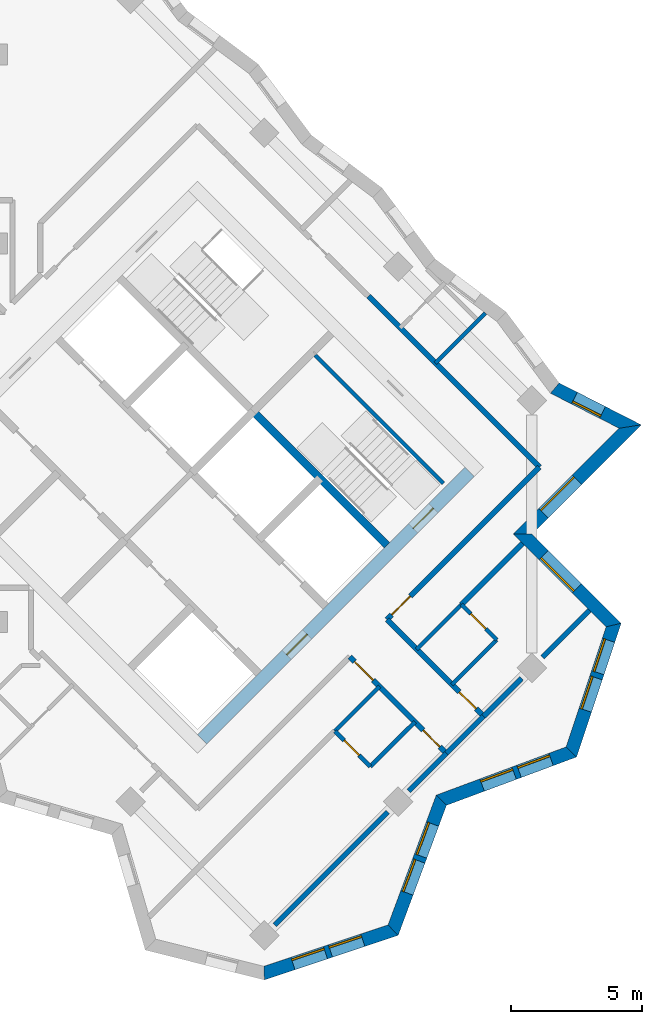
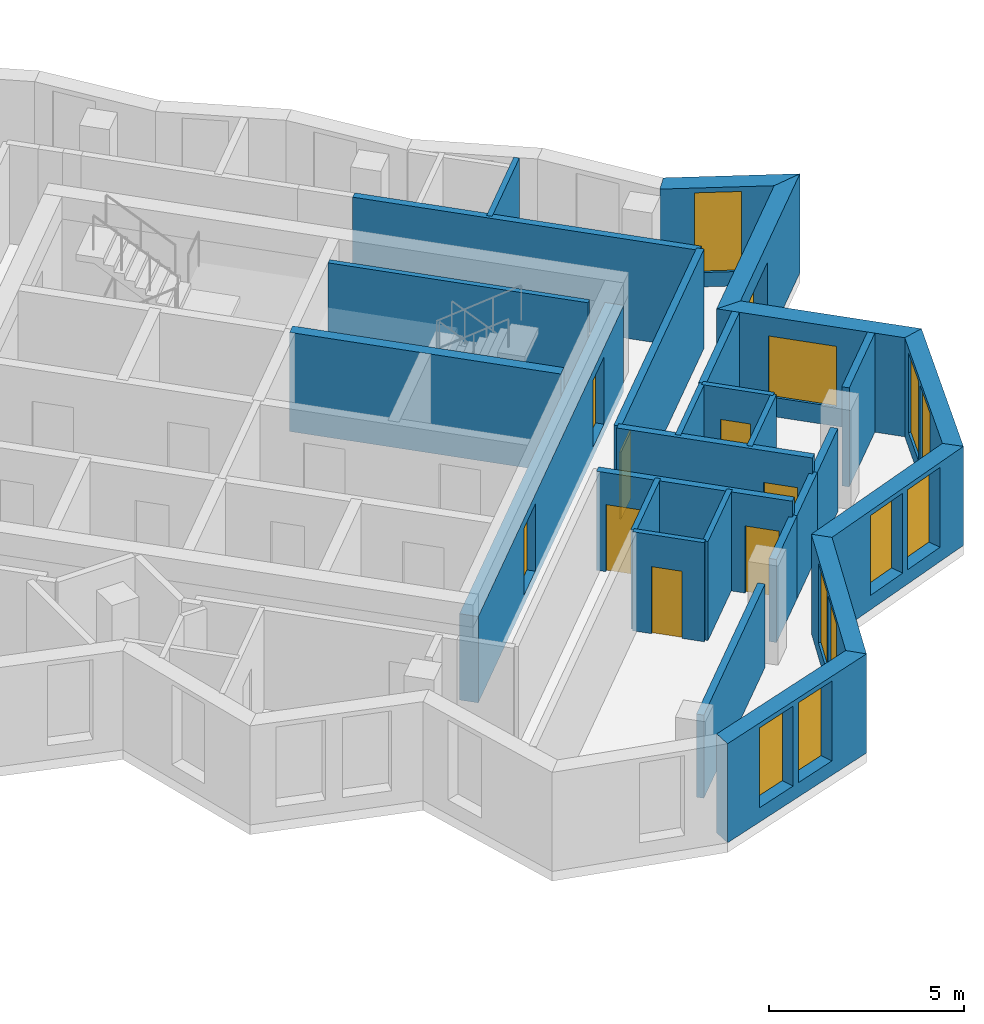
# One storey, part 8 of 12: 27 walls, 11 windows, 8 doors, 19 openings.
"""IFC4 building model written with IfcOpenShell, lengths in metres."""

from ifc_helpers import new_model, si_unit, direction, frame, frame_2d, origin, place, context, subcontext, project, spatial, polyline, rectangle, outline, extrude, material, layer, layer_set, type_object, element, fill, save


model = new_model("IFC4")

# Units and contexts
model_context = context("Model", 3, precision=1e-05, world=origin(), true_north=direction((0.0, 1.0)))
body_context = subcontext(model_context, "Body", "Model", "MODEL_VIEW")
ifc_project = project(units=[si_unit("LENGTHUNIT", "METRE"), si_unit("AREAUNIT", "SQUARE_METRE"), si_unit("VOLUMEUNIT", "CUBIC_METRE"), si_unit("PLANEANGLEUNIT", "RADIAN"), si_unit("MASSUNIT", "GRAM", prefix="KILO")], contexts=[model_context])

# Site, building, storey
site_placement = place(None, origin())
site = spatial("IfcSite", under=ifc_project, at=site_placement, CompositionType="ELEMENT")
building_placement = place(site_placement, origin())
building = spatial("IfcBuilding", under=site, at=building_placement, Name="Windrow Commons", CompositionType="ELEMENT")
storey_placement = place(building_placement, frame((0.0, 0.0, 210.0)))
storey = spatial("IfcBuildingStorey", under=building, at=storey_placement, Name="L57", CompositionType="ELEMENT", Elevation=210.0)

# Wall, openings, windows
ifc_material_1 = material(Name="Brick masonry, red clay brick", Category="masonry")
ifc_layer_1 = layer(ifc_material_1, 0.5)
ifc_layer_set_1 = layer_set([ifc_layer_1], Name="Brick facade wall 500")
wall_type_1 = type_object("IfcWallType", Name="Brick facade wall 500", PredefinedType="SOLIDWALL", material=ifc_layer_set_1)
wall_1_placement = place(storey_placement, frame((89.3725, 29.8338, 0.0), z_axis=(0.0, 0.0, 1.0), x_axis=(0.9486832981, 0.316227766, 0.0)))
wall_1 = element("IfcWall", 1, at=wall_1_placement, inside=storey, type_object=wall_type_1, Name="Brick facade wall L57 1", PredefinedType="SOLIDWALL", context=body_context, shape_type="SweptSolid", body=[
    extrude(outline(polyline([(-0.073, -0.25), (5.2936, -0.25), (5.0541, 0.25), (0.073, 0.25), (-0.073, -0.25)])), origin(), (0.0, 0.0, 1.0), 3.1),
])
opening_1_placement = place(wall_1_placement, frame((1.1588, 0.0, 0.45)))
opening_1 = element("IfcOpeningElement", 2, at=opening_1_placement, cuts=wall_1, Name="Opening W1Q", PredefinedType="OPENING", context=body_context, shape_type="SweptSolid", body=[
    extrude(rectangle(XDim=1.3, YDim=2.5, at=frame_2d((0.65, 1.25))), frame((0.0, 0.26, 0.0), z_axis=(0.0, -1.0, 0.0), x_axis=(1.0, 0.0, 0.0)), (0.0, 0.0, 1.0), 0.52),
])
opening_2_placement = place(wall_1_placement, frame((2.6588, 0.0, 0.45)))
opening_2 = element("IfcOpeningElement", 3, at=opening_2_placement, cuts=wall_1, Name="Opening W1Q", PredefinedType="OPENING", context=body_context, shape_type="SweptSolid", body=[
    extrude(rectangle(XDim=1.3, YDim=2.5, at=frame_2d((0.65, 1.25))), frame((0.0, 0.26, 0.0), z_axis=(0.0, -1.0, 0.0), x_axis=(1.0, 0.0, 0.0)), (0.0, 0.0, 1.0), 0.52),
])
ifc_material_2 = material(Name="Clear float glass in anodised aluminium frame", Category="aluminium")
window_type_1 = type_object("IfcWindowType", Name="Window W1Q pair 1300x2500", PartitioningType="SINGLE_PANEL", PredefinedType="WINDOW", material=ifc_material_2)
window_1_placement = place(opening_1_placement, origin())
window_1 = element("IfcWindow", 4, at=window_1_placement, inside=storey, type_object=window_type_1, Name="Window L57 1.1A", OverallHeight=2.5, OverallWidth=1.3, PartitioningType="SINGLE_PANEL", PredefinedType="WINDOW", context=body_context, shape_type="SweptSolid", body=[
    extrude(rectangle(XDim=1.3, YDim=2.5, at=frame_2d((0.65, 1.25))), frame((0.0, 0.18, 0.0), z_axis=(0.0, -1.0, 0.0), x_axis=(1.0, 0.0, 0.0)), (0.0, 0.0, 1.0), 0.06),
])
fill(opening_1, window_1)
window_2_placement = place(opening_2_placement, origin())
window_2 = element("IfcWindow", 5, at=window_2_placement, inside=storey, type_object=window_type_1, Name="Window L57 1.1B", OverallHeight=2.5, OverallWidth=1.3, PartitioningType="SINGLE_PANEL", PredefinedType="WINDOW", context=body_context, shape_type="SweptSolid", body=[
    extrude(rectangle(XDim=1.3, YDim=2.5, at=frame_2d((0.65, 1.25))), frame((0.0, 0.18, 0.0), z_axis=(0.0, -1.0, 0.0), x_axis=(1.0, 0.0, 0.0)), (0.0, 0.0, 1.0), 0.06),
])
fill(opening_2, window_2)

wall_2_placement = place(storey_placement, frame((94.2808, 31.4699, 0.0), z_axis=(0.0, 0.0, 1.0), x_axis=(0.3481903374, 0.9374238577, 0.0)))
wall_2 = element("IfcWall", 6, at=wall_2_placement, inside=storey, type_object=wall_type_1, Name="Brick facade wall L57 2", PredefinedType="SOLIDWALL", context=body_context, shape_type="SweptSolid", body=[
    extrude(outline(polyline([(-0.1197, -0.25), (5.1604, -0.25), (5.3896, 0.25), (0.1197, 0.25), (-0.1197, -0.25)])), origin(), (0.0, 0.0, 1.0), 3.1),
])
opening_3_placement = place(wall_2_placement, frame((1.5123, 0.0, 0.45)))
opening_3 = element("IfcOpeningElement", 7, at=opening_3_placement, cuts=wall_2, Name="Opening W1Q", PredefinedType="OPENING", context=body_context, shape_type="SweptSolid", body=[
    extrude(rectangle(XDim=1.3, YDim=2.5, at=frame_2d((0.65, 1.25))), frame((0.0, 0.26, 0.0), z_axis=(0.0, -1.0, 0.0), x_axis=(1.0, 0.0, 0.0)), (0.0, 0.0, 1.0), 0.52),
])
opening_4_placement = place(wall_2_placement, frame((3.0123, 0.0, 0.45)))
opening_4 = element("IfcOpeningElement", 8, at=opening_4_placement, cuts=wall_2, Name="Opening W1Q", PredefinedType="OPENING", context=body_context, shape_type="SweptSolid", body=[
    extrude(rectangle(XDim=1.3, YDim=2.5, at=frame_2d((0.65, 1.25))), frame((0.0, 0.26, 0.0), z_axis=(0.0, -1.0, 0.0), x_axis=(1.0, 0.0, 0.0)), (0.0, 0.0, 1.0), 0.52),
])
window_3_placement = place(opening_3_placement, origin())
window_3 = element("IfcWindow", 9, at=window_3_placement, inside=storey, type_object=window_type_1, Name="Window L57 2.1A", OverallHeight=2.5, OverallWidth=1.3, PartitioningType="SINGLE_PANEL", PredefinedType="WINDOW", context=body_context, shape_type="SweptSolid", body=[
    extrude(rectangle(XDim=1.3, YDim=2.5, at=frame_2d((0.65, 1.25))), frame((0.0, 0.18, 0.0), z_axis=(0.0, -1.0, 0.0), x_axis=(1.0, 0.0, 0.0)), (0.0, 0.0, 1.0), 0.06),
])
fill(opening_3, window_3)
window_4_placement = place(opening_4_placement, origin())
window_4 = element("IfcWindow", 10, at=window_4_placement, inside=storey, type_object=window_type_1, Name="Window L57 2.1B", OverallHeight=2.5, OverallWidth=1.3, PartitioningType="SINGLE_PANEL", PredefinedType="WINDOW", context=body_context, shape_type="SweptSolid", body=[
    extrude(rectangle(XDim=1.3, YDim=2.5, at=frame_2d((0.65, 1.25))), frame((0.0, 0.18, 0.0), z_axis=(0.0, -1.0, 0.0), x_axis=(1.0, 0.0, 0.0)), (0.0, 0.0, 1.0), 0.06),
])
fill(opening_4, window_4)

wall_3_placement = place(storey_placement, frame((96.1175, 36.4148, 0.0), z_axis=(0.0, 0.0, 1.0), x_axis=(0.9374238577, 0.3481903374, 0.0)))
wall_3 = element("IfcWall", 11, at=wall_3_placement, inside=storey, type_object=wall_type_1, Name="Brick facade wall L57 3", PredefinedType="SOLIDWALL", context=body_context, shape_type="SweptSolid", body=[
    extrude(outline(polyline([(0.1146, -0.25), (5.3947, -0.25), (5.1552, 0.25), (-0.1146, 0.25), (0.1146, -0.25)])), origin(), (0.0, 0.0, 1.0), 3.1),
])
opening_5_placement = place(wall_3_placement, frame((1.655, 0.0, 0.45)))
opening_5 = element("IfcOpeningElement", 12, at=opening_5_placement, cuts=wall_3, Name="Opening W1Q", PredefinedType="OPENING", context=body_context, shape_type="SweptSolid", body=[
    extrude(rectangle(XDim=1.3, YDim=2.5, at=frame_2d((0.65, 1.25))), frame((0.0, 0.26, 0.0), z_axis=(0.0, -1.0, 0.0), x_axis=(1.0, 0.0, 0.0)), (0.0, 0.0, 1.0), 0.52),
])
opening_6_placement = place(wall_3_placement, frame((3.155, 0.0, 0.45)))
opening_6 = element("IfcOpeningElement", 13, at=opening_6_placement, cuts=wall_3, Name="Opening W1Q", PredefinedType="OPENING", context=body_context, shape_type="SweptSolid", body=[
    extrude(rectangle(XDim=1.3, YDim=2.5, at=frame_2d((0.65, 1.25))), frame((0.0, 0.26, 0.0), z_axis=(0.0, -1.0, 0.0), x_axis=(1.0, 0.0, 0.0)), (0.0, 0.0, 1.0), 0.52),
])
window_5_placement = place(opening_5_placement, origin())
window_5 = element("IfcWindow", 14, at=window_5_placement, inside=storey, type_object=window_type_1, Name="Window L57 3.1A", OverallHeight=2.5, OverallWidth=1.3, PartitioningType="SINGLE_PANEL", PredefinedType="WINDOW", context=body_context, shape_type="SweptSolid", body=[
    extrude(rectangle(XDim=1.3, YDim=2.5, at=frame_2d((0.65, 1.25))), frame((0.0, 0.18, 0.0), z_axis=(0.0, -1.0, 0.0), x_axis=(1.0, 0.0, 0.0)), (0.0, 0.0, 1.0), 0.06),
])
fill(opening_5, window_5)
window_6_placement = place(opening_6_placement, origin())
window_6 = element("IfcWindow", 15, at=window_6_placement, inside=storey, type_object=window_type_1, Name="Window L57 3.1B", OverallHeight=2.5, OverallWidth=1.3, PartitioningType="SINGLE_PANEL", PredefinedType="WINDOW", context=body_context, shape_type="SweptSolid", body=[
    extrude(rectangle(XDim=1.3, YDim=2.5, at=frame_2d((0.65, 1.25))), frame((0.0, 0.18, 0.0), z_axis=(0.0, -1.0, 0.0), x_axis=(1.0, 0.0, 0.0)), (0.0, 0.0, 1.0), 0.06),
])
fill(opening_6, window_6)

wall_4_placement = place(storey_placement, frame((101.0624, 38.2515, 0.0), z_axis=(0.0, 0.0, 1.0), x_axis=(0.3162395484, 0.9486793705, 0.0)))
wall_4 = element("IfcWall", 16, at=wall_4_placement, inside=storey, type_object=wall_type_1, Name="Brick facade wall L57 4", PredefinedType="SOLIDWALL", context=body_context, shape_type="SweptSolid", body=[
    extrude(outline(polyline([(-0.1197, -0.25), (5.2468, -0.25), (4.9378, 0.25), (0.1197, 0.25), (-0.1197, -0.25)])), origin(), (0.0, 0.0, 1.0), 3.1),
])
opening_7_placement = place(wall_4_placement, frame((1.6796, 0.0, 0.45)))
opening_7 = element("IfcOpeningElement", 17, at=opening_7_placement, cuts=wall_4, Name="Opening W1Q", PredefinedType="OPENING", context=body_context, shape_type="SweptSolid", body=[
    extrude(rectangle(XDim=1.3, YDim=2.5, at=frame_2d((0.65, 1.25))), frame((0.0, 0.26, 0.0), z_axis=(0.0, -1.0, 0.0), x_axis=(1.0, 0.0, 0.0)), (0.0, 0.0, 1.0), 0.52),
])
opening_8_placement = place(wall_4_placement, frame((3.1796, 0.0, 0.45)))
opening_8 = element("IfcOpeningElement", 18, at=opening_8_placement, cuts=wall_4, Name="Opening W1Q", PredefinedType="OPENING", context=body_context, shape_type="SweptSolid", body=[
    extrude(rectangle(XDim=1.3, YDim=2.5, at=frame_2d((0.65, 1.25))), frame((0.0, 0.26, 0.0), z_axis=(0.0, -1.0, 0.0), x_axis=(1.0, 0.0, 0.0)), (0.0, 0.0, 1.0), 0.52),
])
window_7_placement = place(opening_7_placement, origin())
window_7 = element("IfcWindow", 19, at=window_7_placement, inside=storey, type_object=window_type_1, Name="Window L57 4.1A", OverallHeight=2.5, OverallWidth=1.3, PartitioningType="SINGLE_PANEL", PredefinedType="WINDOW", context=body_context, shape_type="SweptSolid", body=[
    extrude(rectangle(XDim=1.3, YDim=2.5, at=frame_2d((0.65, 1.25))), frame((0.0, 0.18, 0.0), z_axis=(0.0, -1.0, 0.0), x_axis=(1.0, 0.0, 0.0)), (0.0, 0.0, 1.0), 0.06),
])
fill(opening_7, window_7)
window_8_placement = place(opening_8_placement, origin())
window_8 = element("IfcWindow", 20, at=window_8_placement, inside=storey, type_object=window_type_1, Name="Window L57 4.1B", OverallHeight=2.5, OverallWidth=1.3, PartitioningType="SINGLE_PANEL", PredefinedType="WINDOW", context=body_context, shape_type="SweptSolid", body=[
    extrude(rectangle(XDim=1.3, YDim=2.5, at=frame_2d((0.65, 1.25))), frame((0.0, 0.18, 0.0), z_axis=(0.0, -1.0, 0.0), x_axis=(1.0, 0.0, 0.0)), (0.0, 0.0, 1.0), 0.06),
])
fill(opening_8, window_8)

# Wall, opening, window
wall_5_placement = place(storey_placement, frame((102.6728, 43.0825, 0.0), z_axis=(0.0, 0.0, 1.0), x_axis=(-0.7071067812, 0.7071067812, 0.0)))
wall_5 = element("IfcWall", 21, at=wall_5_placement, inside=storey, type_object=wall_type_1, Name="Brick facade wall L57 5", PredefinedType="SOLIDWALL", context=body_context, shape_type="SweptSolid", body=[
    extrude(outline(polyline([(-0.1545, -0.25), (4.6455, -0.25), (5.1455, 0.25), (0.1545, 0.25), (-0.1545, -0.25)])), origin(), (0.0, 0.0, 1.0), 3.1),
])
opening_9_placement = place(wall_5_placement, frame((1.9705, 0.0, 0.6)))
opening_9 = element("IfcOpeningElement", 22, at=opening_9_placement, cuts=wall_5, Name="Opening W1L", PredefinedType="OPENING", context=body_context, shape_type="SweptSolid", body=[
    extrude(rectangle(XDim=1.8, YDim=1.9, at=frame_2d((0.9, 0.95))), frame((0.0, 0.26, 0.0), z_axis=(0.0, -1.0, 0.0), x_axis=(1.0, 0.0, 0.0)), (0.0, 0.0, 1.0), 0.52),
])
ifc_material_3 = material(Name="Clear float glass in anodised aluminium frame", Category="aluminium")
window_type_2 = type_object("IfcWindowType", Name="Window W1L bedroom 1800x1900", PartitioningType="SINGLE_PANEL", PredefinedType="WINDOW", material=ifc_material_3)
window_9_placement = place(opening_9_placement, origin())
window_9 = element("IfcWindow", 23, at=window_9_placement, inside=storey, type_object=window_type_2, Name="Window L57 5.1", OverallHeight=1.9, OverallWidth=1.8, PartitioningType="SINGLE_PANEL", PredefinedType="WINDOW", context=body_context, shape_type="SweptSolid", body=[
    extrude(rectangle(XDim=1.8, YDim=1.9, at=frame_2d((0.9, 0.95))), frame((0.0, 0.18, 0.0), z_axis=(0.0, -1.0, 0.0), x_axis=(1.0, 0.0, 0.0)), (0.0, 0.0, 1.0), 0.06),
])
fill(opening_9, window_9)

wall_6_placement = place(storey_placement, frame((99.2111, 46.5442, 0.0), z_axis=(0.0, 0.0, 1.0), x_axis=(0.7071067812, 0.7071067812, 0.0)))
wall_6 = element("IfcWall", 24, at=wall_6_placement, inside=storey, type_object=wall_type_1, Name="Brick facade wall L57 6", PredefinedType="SOLIDWALL", context=body_context, shape_type="SweptSolid", body=[
    extrude(outline(polyline([(0.25, -0.25), (6.132, -0.25), (5.4441, 0.25), (-0.25, 0.25), (0.25, -0.25)])), origin(), (0.0, 0.0, 1.0), 3.1),
])
opening_10_placement = place(wall_6_placement, frame((1.125, 0.0, 0.6)))
opening_10 = element("IfcOpeningElement", 25, at=opening_10_placement, cuts=wall_6, Name="Opening W1L", PredefinedType="OPENING", context=body_context, shape_type="SweptSolid", body=[
    extrude(rectangle(XDim=1.8, YDim=1.9, at=frame_2d((0.9, 0.95))), frame((0.0, 0.26, 0.0), z_axis=(0.0, -1.0, 0.0), x_axis=(1.0, 0.0, 0.0)), (0.0, 0.0, 1.0), 0.52),
])
window_10_placement = place(opening_10_placement, origin())
window_10 = element("IfcWindow", 26, at=window_10_placement, inside=storey, type_object=window_type_2, Name="Window L57 6.1", OverallHeight=1.9, OverallWidth=1.8, PartitioningType="SINGLE_PANEL", PredefinedType="WINDOW", context=body_context, shape_type="SweptSolid", body=[
    extrude(rectangle(XDim=1.8, YDim=1.9, at=frame_2d((0.9, 0.95))), frame((0.0, 0.18, 0.0), z_axis=(0.0, -1.0, 0.0), x_axis=(1.0, 0.0, 0.0)), (0.0, 0.0, 1.0), 0.06),
])
fill(opening_10, window_10)

wall_7_placement = place(storey_placement, frame((103.3039, 50.637, 0.0), z_axis=(0.0, 0.0, 1.0), x_axis=(-0.8908334453, 0.4543300262, 0.0)))
wall_7 = element("IfcWall", 27, at=wall_7_placement, inside=storey, type_object=wall_type_1, Name="Brick facade wall L57 7", PredefinedType="SOLIDWALL", context=body_context, shape_type="SweptSolid", body=[
    extrude(outline(polyline([(-0.344, -0.25), (3.1617, -0.25), (3.2781, 0.25), (0.344, 0.25), (-0.344, -0.25)])), origin(), (0.0, 0.0, 1.0), 3.1),
])
opening_11_placement = place(wall_7_placement, frame((1.1819, 0.0, 0.45)))
opening_11 = element("IfcOpeningElement", 28, at=opening_11_placement, cuts=wall_7, Name="Opening W7E", PredefinedType="OPENING", context=body_context, shape_type="SweptSolid", body=[
    extrude(rectangle(XDim=1.2, YDim=2.5, at=frame_2d((0.6, 1.25))), frame((0.0, 0.26, 0.0), z_axis=(0.0, -1.0, 0.0), x_axis=(1.0, 0.0, 0.0)), (0.0, 0.0, 1.0), 0.52),
])
ifc_material_4 = material(Name="Clear float glass in anodised aluminium frame", Category="aluminium")
window_type_3 = type_object("IfcWindowType", Name="Window W7 notch 1200x2500", PartitioningType="SINGLE_PANEL", PredefinedType="WINDOW", material=ifc_material_4)
window_11_placement = place(opening_11_placement, origin())
window_11 = element("IfcWindow", 29, at=window_11_placement, inside=storey, type_object=window_type_3, Name="Window L57 7.1", OverallHeight=2.5, OverallWidth=1.2, PartitioningType="SINGLE_PANEL", PredefinedType="WINDOW", context=body_context, shape_type="SweptSolid", body=[
    extrude(rectangle(XDim=1.2, YDim=2.5, at=frame_2d((0.6, 1.25))), frame((0.0, 0.18, 0.0), z_axis=(0.0, -1.0, 0.0), x_axis=(1.0, 0.0, 0.0)), (0.0, 0.0, 1.0), 0.06),
])
fill(opening_11, window_11)

# Wall
ifc_material_5 = material(Name="Blockwork partition", Category="masonry")
ifc_layer_2 = layer(ifc_material_5, 0.2)
ifc_layer_set_2 = layer_set([ifc_layer_2], Name="IW-CORRIDOR-200")
wall_type_2 = type_object("IfcWallType", Name="IW-CORRIDOR-200", PredefinedType="PARTITIONING", material=ifc_layer_set_2)
wall_8_placement = place(storey_placement, frame((93.3455, 55.5995, 0.0), z_axis=(0.0, 0.0, 1.0), x_axis=(0.7071067812, -0.7071067812, 0.0)))
element("IfcWall", 30, at=wall_8_placement, inside=storey, type_object=wall_type_2, Name="W-L57-W007", PredefinedType="PARTITIONING", context=body_context, shape_type="SweptSolid", body=[
    extrude(rectangle(XDim=9.2009, YDim=0.2, at=frame_2d((4.6005, 0.0))), origin(), (0.0, 0.0, 1.0), 3.1),
])

# Wall, opening, door
wall_9_placement = place(storey_placement, frame((94.0491, 43.2929, 0.0), z_axis=(0.0, 0.0, 1.0), x_axis=(0.7071067812, 0.7071067812, 0.0)))
wall_9 = element("IfcWall", 31, at=wall_9_placement, inside=storey, type_object=wall_type_2, Name="W-L57-W009", PredefinedType="PARTITIONING", context=body_context, shape_type="SweptSolid", body=[
    extrude(rectangle(XDim=8.1996, YDim=0.2, at=frame_2d((4.0998, 0.0))), origin(), (0.0, 0.0, 1.0), 3.1),
])
opening_12_placement = place(wall_9_placement, frame((0.2523, 0.0, 0.0)))
opening_12 = element("IfcOpeningElement", 32, at=opening_12_placement, cuts=wall_9, Name="Opening D310F", PredefinedType="OPENING", context=body_context, shape_type="SweptSolid", body=[
    extrude(rectangle(XDim=1.0, YDim=2.1, at=frame_2d((0.5, 1.05))), frame((0.0, 0.11, 0.0), z_axis=(0.0, -1.0, 0.0), x_axis=(1.0, 0.0, 0.0)), (0.0, 0.0, 1.0), 0.22),
])
ifc_material_6 = material(Name="Timber door leaf", Category="wood")
door_type_1 = type_object("IfcDoorType", Name="DT-AMENITY-1000", OperationType="SINGLE_SWING_LEFT", PredefinedType="DOOR", material=ifc_material_6)
door_1_placement = place(opening_12_placement, origin())
door_1 = element("IfcDoor", 33, at=door_1_placement, inside=storey, type_object=door_type_1, Name="D-L57-D036", OperationType="SINGLE_SWING_RIGHT", OverallHeight=2.1, OverallWidth=1.0, PredefinedType="DOOR", context=body_context, shape_type="SweptSolid", body=[
    extrude(rectangle(XDim=1.0, YDim=2.1, at=frame_2d((0.5, 1.05))), frame((0.0, 0.025, 0.0), z_axis=(0.0, -1.0, 0.0), x_axis=(1.0, 0.0, 0.0)), (0.0, 0.0, 1.0), 0.05),
])
fill(opening_12, door_1)

wall_10_placement = place(storey_placement, frame((94.0471, 43.2871, 0.0), z_axis=(0.0, 0.0, 1.0), x_axis=(0.7071067812, -0.7071067812, 0.0)))
wall_10 = element("IfcWall", 34, at=wall_10_placement, inside=storey, type_object=wall_type_2, Name="W-L57-W033", PredefinedType="PARTITIONING", context=body_context, shape_type="SweptSolid", body=[
    extrude(rectangle(XDim=5.1986, YDim=0.2, at=frame_2d((2.5993, 0.0))), origin(), (0.0, 0.0, 1.0), 3.1),
])
opening_13_placement = place(wall_10_placement, frame((3.8984, 0.0, 0.0)))
opening_13 = element("IfcOpeningElement", 35, at=opening_13_placement, cuts=wall_10, Name="Opening D109S", PredefinedType="OPENING", context=body_context, shape_type="SweptSolid", body=[
    extrude(rectangle(XDim=0.9, YDim=2.1, at=frame_2d((0.45, 1.05))), frame((0.0, 0.11, 0.0), z_axis=(0.0, -1.0, 0.0), x_axis=(1.0, 0.0, 0.0)), (0.0, 0.0, 1.0), 0.22),
])
ifc_material_7 = material(Name="Timber door leaf", Category="wood")
door_type_2 = type_object("IfcDoorType", Name="DT-BEDROOM-900", OperationType="SINGLE_SWING_LEFT", PredefinedType="DOOR", material=ifc_material_7)
door_2_placement = place(opening_13_placement, origin())
door_2 = element("IfcDoor", 36, at=door_2_placement, inside=storey, type_object=door_type_2, Name="D-L57-D044", OperationType="SINGLE_SWING_RIGHT", OverallHeight=2.1, OverallWidth=0.9, PredefinedType="DOOR", context=body_context, shape_type="SweptSolid", body=[
    extrude(rectangle(XDim=0.9, YDim=2.1, at=frame_2d((0.45, 1.05))), frame((0.0, 0.025, 0.0), z_axis=(0.0, -1.0, 0.0), x_axis=(1.0, 0.0, 0.0)), (0.0, 0.0, 1.0), 0.05),
])
fill(opening_13, door_2)

# Wall, openings, doors
wall_11_placement = place(storey_placement, frame((92.6329, 41.8729, 0.0), z_axis=(0.0, 0.0, 1.0), x_axis=(0.7071067812, -0.7071067812, 0.0)))
wall_11 = element("IfcWall", 37, at=wall_11_placement, inside=storey, type_object=wall_type_2, Name="W-L57-W034", PredefinedType="PARTITIONING", context=body_context, shape_type="SweptSolid", body=[
    extrude(rectangle(XDim=5.1986, YDim=0.2, at=frame_2d((2.5993, 0.0))), origin(), (0.0, 0.0, 1.0), 3.1),
])
opening_14_placement = place(wall_11_placement, frame((0.253, 0.0, 0.0)))
opening_14 = element("IfcOpeningElement", 38, at=opening_14_placement, cuts=wall_11, Name="Opening D310F", PredefinedType="OPENING", context=body_context, shape_type="SweptSolid", body=[
    extrude(rectangle(XDim=1.0, YDim=2.1, at=frame_2d((0.5, 1.05))), frame((0.0, 0.11, 0.0), z_axis=(0.0, -1.0, 0.0), x_axis=(1.0, 0.0, 0.0)), (0.0, 0.0, 1.0), 0.22),
])
opening_15_placement = place(wall_11_placement, frame((3.9484, 0.0, 0.0)))
opening_15 = element("IfcOpeningElement", 39, at=opening_15_placement, cuts=wall_11, Name="Opening D109S", PredefinedType="OPENING", context=body_context, shape_type="SweptSolid", body=[
    extrude(rectangle(XDim=0.9, YDim=2.1, at=frame_2d((0.45, 1.05))), frame((0.0, 0.11, 0.0), z_axis=(0.0, -1.0, 0.0), x_axis=(1.0, 0.0, 0.0)), (0.0, 0.0, 1.0), 0.22),
])
door_3_placement = place(opening_14_placement, origin())
door_3 = element("IfcDoor", 40, at=door_3_placement, inside=storey, type_object=door_type_1, Name="D-L57-D041", OperationType="SINGLE_SWING_RIGHT", OverallHeight=2.1, OverallWidth=1.0, PredefinedType="DOOR", context=body_context, shape_type="SweptSolid", body=[
    extrude(rectangle(XDim=1.0, YDim=2.1, at=frame_2d((0.5, 1.05))), frame((0.0, 0.025, 0.0), z_axis=(0.0, -1.0, 0.0), x_axis=(1.0, 0.0, 0.0)), (0.0, 0.0, 1.0), 0.05),
])
fill(opening_14, door_3)
door_4_placement = place(opening_15_placement, origin())
door_4 = element("IfcDoor", 41, at=door_4_placement, inside=storey, type_object=door_type_2, Name="D-L57-D042", OperationType="SINGLE_SWING_LEFT", OverallHeight=2.1, OverallWidth=0.9, PredefinedType="DOOR", context=body_context, shape_type="SweptSolid", body=[
    extrude(rectangle(XDim=0.9, YDim=2.1, at=frame_2d((0.45, 1.05))), frame((0.0, 0.025, 0.0), z_axis=(0.0, -1.0, 0.0), x_axis=(1.0, 0.0, 0.0)), (0.0, 0.0, 1.0), 0.05),
])
fill(opening_15, door_4)

# Walls
wall_12_placement = place(storey_placement, frame((96.311, 38.201, 0.0), z_axis=(0.0, 0.0, 1.0), x_axis=(0.7071067812, 0.7071067812, 0.0)))
element("IfcWall", 42, at=wall_12_placement, inside=storey, type_object=wall_type_2, Name="W-L57-W104", PredefinedType="PARTITIONING", context=body_context, shape_type="SweptSolid", body=[
    extrude(rectangle(XDim=1.9997, YDim=0.2, at=frame_2d((0.9999, 0.0))), origin(), (0.0, 0.0, 1.0), 2.6),
])
ifc_material_8 = material(Name="Blockwork partition", Category="masonry")
ifc_layer_3 = layer(ifc_material_8, 0.15)
ifc_layer_set_3 = layer_set([ifc_layer_3], Name="IW-ENSUITE-150")
wall_type_3 = type_object("IfcWallType", Name="IW-ENSUITE-150", PredefinedType="PARTITIONING", material=ifc_layer_set_3)
wall_13_placement = place(storey_placement, frame((95.8873, 53.0507, 0.0), z_axis=(0.0, 0.0, 1.0), x_axis=(0.7070882582, 0.7071253037, 0.0)))
element("IfcWall", 43, at=wall_13_placement, inside=storey, type_object=wall_type_3, Name="W-L57-W055", PredefinedType="PARTITIONING", context=body_context, shape_type="SweptSolid", body=[
    extrude(rectangle(XDim=2.6994, YDim=0.15, at=frame_2d((1.3497, 0.0))), origin(), (0.0, 0.0, 1.0), 3.1),
])
for number, where, z_axis, x_axis, name in (
    (44, (96.5229, 40.8171, 0.0), (0.0, 0.0, 1.0), (0.7071067812, 0.7071067812, 0.0), "W-L57-W060"),
    (45, (95.1794, 42.1606, 0.0), (0.0, 0.0, 1.0), (0.7071067812, 0.7071067812, 0.0), "W-L57-W061"),
):
    element("IfcWall", number, at=place(storey_placement, frame(where, z_axis=z_axis, x_axis=x_axis)), inside=storey, type_object=wall_type_3, Name=name, PredefinedType="PARTITIONING", context=body_context, shape_type="SweptSolid", body=[
        extrude(rectangle(XDim=2.4013, YDim=0.15, at=frame_2d((1.2006, 0.0))), origin(), (0.0, 0.0, 1.0), 3.1),
    ])
for number, where, z_axis, x_axis, name in (
    (46, (92.0722, 39.0458, 0.0), (0.0, 0.0, 1.0), (0.706689978, 0.7075233388, 0.0), "W-L57-W082"),
    (47, (93.4152, 37.7028, 0.0), (0.0, 0.0, 1.0), (0.7075233388, 0.706689978, 0.0), "W-L57-W083"),
):
    element("IfcWall", number, at=place(storey_placement, frame(where, z_axis=z_axis, x_axis=x_axis)), inside=storey, type_object=wall_type_3, Name=name, PredefinedType="PARTITIONING", context=body_context, shape_type="SweptSolid", body=[
        extrude(rectangle(XDim=2.3999, YDim=0.15, at=frame_2d((1.2, 0.0))), origin(), (0.0, 0.0, 1.0), 3.1),
    ])

# Wall, opening, door
wall_14_placement = place(storey_placement, frame((96.8813, 43.8613, 0.0), z_axis=(0.0, 0.0, 1.0), x_axis=(0.7071067812, -0.7071067812, 0.0)))
wall_14 = element("IfcWall", 48, at=wall_14_placement, inside=storey, type_object=wall_type_3, Name="W-L57-W106", PredefinedType="PARTITIONING", context=body_context, shape_type="SweptSolid", body=[
    extrude(rectangle(XDim=1.9007, YDim=0.15, at=frame_2d((0.9504, 0.0))), origin(), (0.0, 0.0, 1.0), 3.1),
])
opening_16_placement = place(wall_14_placement, frame((0.5053, 0.0, 0.0)))
opening_16 = element("IfcOpeningElement", 49, at=opening_16_placement, cuts=wall_14, Name="Opening D208N", PredefinedType="OPENING", context=body_context, shape_type="SweptSolid", body=[
    extrude(rectangle(XDim=0.8, YDim=2.1, at=frame_2d((0.4, 1.05))), frame((0.0, 0.085, 0.0), z_axis=(0.0, -1.0, 0.0), x_axis=(1.0, 0.0, 0.0)), (0.0, 0.0, 1.0), 0.17),
])
ifc_material_9 = material(Name="Timber door leaf", Category="wood")
door_type_3 = type_object("IfcDoorType", Name="DT-ENSUITE-800", OperationType="SINGLE_SWING_LEFT", PredefinedType="DOOR", material=ifc_material_9)
door_5_placement = place(opening_16_placement, origin())
door_5 = element("IfcDoor", 50, at=door_5_placement, inside=storey, type_object=door_type_3, Name="D-L57-D045", OperationType="SINGLE_SWING_RIGHT", OverallHeight=2.1, OverallWidth=0.8, PredefinedType="DOOR", context=body_context, shape_type="SweptSolid", body=[
    extrude(rectangle(XDim=0.8, YDim=2.1, at=frame_2d((0.4, 1.05))), frame((0.0, 0.025, 0.0), z_axis=(0.0, -1.0, 0.0), x_axis=(1.0, 0.0, 0.0)), (0.0, 0.0, 1.0), 0.05),
])
fill(opening_16, door_5)

wall_15_placement = place(storey_placement, frame((92.0669, 39.0449, 0.0), z_axis=(0.0, 0.0, 1.0), x_axis=(0.7071067812, -0.7071067812, 0.0)))
wall_15 = element("IfcWall", 51, at=wall_15_placement, inside=storey, type_object=wall_type_3, Name="W-L57-W114", PredefinedType="PARTITIONING", context=body_context, shape_type="SweptSolid", body=[
    extrude(rectangle(XDim=1.8979, YDim=0.15, at=frame_2d((0.9489, 0.0))), origin(), (0.0, 0.0, 1.0), 3.1),
])
opening_17_placement = place(wall_15_placement, frame((0.501, 0.0, 0.0)))
opening_17 = element("IfcOpeningElement", 52, at=opening_17_placement, cuts=wall_15, Name="Opening D208N", PredefinedType="OPENING", context=body_context, shape_type="SweptSolid", body=[
    extrude(rectangle(XDim=0.8, YDim=2.1, at=frame_2d((0.4, 1.05))), frame((0.0, 0.085, 0.0), z_axis=(0.0, -1.0, 0.0), x_axis=(1.0, 0.0, 0.0)), (0.0, 0.0, 1.0), 0.17),
])
door_6_placement = place(opening_17_placement, origin())
door_6 = element("IfcDoor", 53, at=door_6_placement, inside=storey, type_object=door_type_3, Name="D-L57-D043", OperationType="SINGLE_SWING_RIGHT", OverallHeight=2.1, OverallWidth=0.8, PredefinedType="DOOR", context=body_context, shape_type="SweptSolid", body=[
    extrude(rectangle(XDim=0.8, YDim=2.1, at=frame_2d((0.4, 1.05))), frame((0.0, 0.025, 0.0), z_axis=(0.0, -1.0, 0.0), x_axis=(1.0, 0.0, 0.0)), (0.0, 0.0, 1.0), 0.05),
])
fill(opening_17, door_6)

# Walls
ifc_material_10 = material(Name="Blockwork partition", Category="masonry")
ifc_layer_4 = layer(ifc_material_10, 0.2)
ifc_layer_set_4 = layer_set([ifc_layer_4], Name="IW-PARTY-200")
wall_type_4 = type_object("IfcWallType", Name="IW-PARTY-200", PredefinedType="PARTITIONING", material=ifc_layer_set_4)
wall_16_placement = place(storey_placement, frame((89.781, 31.671, 0.0), z_axis=(0.0, 0.0, 1.0), x_axis=(0.7071067812, 0.7071067812, 0.0)))
element("IfcWall", 54, at=wall_16_placement, inside=storey, type_object=wall_type_4, Name="W-L57-W022", PredefinedType="PARTITIONING", context=body_context, shape_type="SweptSolid", body=[
    extrude(rectangle(XDim=6.0698, YDim=0.2, at=frame_2d((3.0349, 0.0))), origin(), (0.0, 0.0, 1.0), 2.6),
])
wall_17_placement = place(storey_placement, frame((96.8801, 43.8559, 0.0), z_axis=(0.0, 0.0, 1.0), x_axis=(0.7074098182, 0.7068036142, 0.0)))
element("IfcWall", 55, at=wall_17_placement, inside=storey, type_object=wall_type_4, Name="W-L57-W050", PredefinedType="PARTITIONING", context=body_context, shape_type="SweptSolid", body=[
    extrude(rectangle(XDim=3.2992, YDim=0.2, at=frame_2d((1.6496, 0.0))), origin(), (0.0, 0.0, 1.0), 3.1),
])
wall_18_placement = place(storey_placement, frame((99.964, 41.854, 0.0), z_axis=(0.0, 0.0, 1.0), x_axis=(0.7071265121, 0.7070870497, 0.0)))
element("IfcWall", 56, at=wall_18_placement, inside=storey, type_object=wall_type_4, Name="W-L57-W059", PredefinedType="PARTITIONING", context=body_context, shape_type="SweptSolid", body=[
    extrude(rectangle(XDim=2.5341, YDim=0.2, at=frame_2d((1.2671, 0.0))), origin(), (0.0, 0.0, 1.0), 3.1),
])
wall_19_placement = place(storey_placement, frame((97.7268, 39.6132, 0.0), z_axis=(0.0, 0.0, 1.0), x_axis=(0.7066152229, 0.7075979979, 0.0)))
element("IfcWall", 57, at=wall_19_placement, inside=storey, type_object=wall_type_4, Name="W-L57-W099", PredefinedType="PARTITIONING", context=body_context, shape_type="SweptSolid", body=[
    extrude(rectangle(XDim=2.0351, YDim=0.2, at=frame_2d((1.0175, 0.0))), origin(), (0.0, 0.0, 1.0), 2.6),
])
wall_20_placement = place(storey_placement, frame((94.873, 36.763, 0.0), z_axis=(0.0, 0.0, 1.0), x_axis=(0.7071067812, 0.7071067812, 0.0)))
element("IfcWall", 58, at=wall_20_placement, inside=storey, type_object=wall_type_4, Name="W-L57-W100", PredefinedType="PARTITIONING", context=body_context, shape_type="SweptSolid", body=[
    extrude(rectangle(XDim=2.0336, YDim=0.2, at=frame_2d((1.0168, 0.0))), origin(), (0.0, 0.0, 1.0), 2.6),
])

# Wall, openings, doors
ifc_material_11 = material(Name="Concrete C40/50", Category="concrete")
ifc_layer_5 = layer(ifc_material_11, 0.5)
ifc_layer_set_5 = layer_set([ifc_layer_5], Name="RC CORE WALL 500 C40/50")
wall_type_5 = type_object("IfcWallType", Name="RC CORE WALL 500 C40/50", PredefinedType="SHEAR", material=ifc_layer_set_5)
wall_21_placement = place(storey_placement, frame((87.0135, 38.7306, -0.3), z_axis=(0.0, 0.0, 1.0), x_axis=(0.7071067812, 0.7071067812, 0.0)))
wall_21 = element("IfcWall", 59, at=wall_21_placement, inside=storey, type_object=wall_type_5, Name="Core B wall outer-E", PredefinedType="SHEAR", context=body_context, shape_type="SweptSolid", body=[
    extrude(rectangle(XDim=14.4001, YDim=0.5, at=frame_2d((7.2001, 0.0))), origin(), (0.0, 0.0, 1.0), 2.7),
])
opening_18_placement = place(wall_21_placement, frame((4.55, 0.0, 0.3)))
opening_18 = element("IfcOpeningElement", 60, at=opening_18_placement, cuts=wall_21, Name="Opening D6", PredefinedType="OPENING", context=body_context, shape_type="SweptSolid", body=[
    extrude(rectangle(XDim=1.1, YDim=2.1, at=frame_2d((0.55, 1.05))), frame((0.0, 0.26, 0.0), z_axis=(0.0, -1.0, 0.0), x_axis=(1.0, 0.0, 0.0)), (0.0, 0.0, 1.0), 0.52),
])
opening_19_placement = place(wall_21_placement, frame((11.35, 0.0, 0.3)))
opening_19 = element("IfcOpeningElement", 61, at=opening_19_placement, cuts=wall_21, Name="Opening D7", PredefinedType="OPENING", context=body_context, shape_type="SweptSolid", body=[
    extrude(rectangle(XDim=1.1, YDim=2.1, at=frame_2d((0.55, 1.05))), frame((0.0, 0.26, 0.0), z_axis=(0.0, -1.0, 0.0), x_axis=(1.0, 0.0, 0.0)), (0.0, 0.0, 1.0), 0.52),
])
ifc_material_12 = material(Name="Steel fire door leaf", Category="steel")
door_type_4 = type_object("IfcDoorType", Name="Core lobby door 1100", OperationType="SINGLE_SWING_LEFT", PredefinedType="DOOR", material=ifc_material_12)
door_7_placement = place(opening_18_placement, origin())
door_7 = element("IfcDoor", 62, at=door_7_placement, inside=storey, type_object=door_type_4, Name="Lift lobby door", OperationType="DOUBLE_DOOR_SINGLE_SWING", OverallHeight=2.1, OverallWidth=1.1, PredefinedType="DOOR", context=body_context, shape_type="SweptSolid", body=[
    extrude(rectangle(XDim=1.1, YDim=2.1, at=frame_2d((0.55, 1.05))), frame((0.0, 0.025, 0.0), z_axis=(0.0, -1.0, 0.0), x_axis=(1.0, 0.0, 0.0)), (0.0, 0.0, 1.0), 0.05),
])
fill(opening_18, door_7)
ifc_material_13 = material(Name="Steel fire door leaf", Category="steel")
door_type_5 = type_object("IfcDoorType", Name="Stair door 1100", OperationType="SINGLE_SWING_LEFT", PredefinedType="DOOR", material=ifc_material_13)
door_8_placement = place(opening_19_placement, origin())
door_8 = element("IfcDoor", 63, at=door_8_placement, inside=storey, type_object=door_type_5, Name="Stair door", OperationType="SINGLE_SWING_RIGHT", OverallHeight=2.1, OverallWidth=1.1, PredefinedType="DOOR", context=body_context, shape_type="SweptSolid", body=[
    extrude(rectangle(XDim=1.1, YDim=2.1, at=frame_2d((0.55, 1.05))), frame((0.0, 0.025, 0.0), z_axis=(0.0, -1.0, 0.0), x_axis=(1.0, 0.0, 0.0)), (0.0, 0.0, 1.0), 0.05),
])
fill(opening_19, door_8)

# Walls
ifc_material_14 = material(Name="Concrete C40/50", Category="concrete")
ifc_layer_6 = layer(ifc_material_14, 0.3)
ifc_layer_set_6 = layer_set([ifc_layer_6], Name="RC SHAFT WALL 300 C40/50")
wall_type_6 = type_object("IfcWallType", Name="RC SHAFT WALL 300 C40/50", PredefinedType="SOLIDWALL", material=ifc_layer_set_6)
wall_22_placement = place(storey_placement, frame((88.9581, 51.2111, 0.0), z_axis=(0.0, 0.0, 1.0), x_axis=(0.7070998367, -0.7071137256, 0.0)))
element("IfcWall", 64, at=wall_22_placement, inside=storey, type_object=wall_type_6, Name="Core B wall stair-S2", PredefinedType="SOLIDWALL", context=body_context, shape_type="SweptSolid", body=[
    extrude(rectangle(XDim=7.2, YDim=0.3, at=frame_2d((3.6, 0.0))), origin(), (0.0, 0.0, 1.0), 3.1),
])
ifc_material_15 = material(Name="Blockwork partition", Category="masonry")
ifc_layer_7 = layer(ifc_material_15, 0.15)
ifc_layer_set_7 = layer_set([ifc_layer_7], Name="Riser partition 150")
wall_type_7 = type_object("IfcWallType", Name="Riser partition 150", PredefinedType="PARTITIONING", material=ifc_layer_set_7)
wall_23_placement = place(storey_placement, frame((91.3127, 53.3536, 0.0), z_axis=(0.0, 0.0, 1.0), x_axis=(0.7071140275, -0.7070995348, 0.0)))
element("IfcWall", 65, at=wall_23_placement, inside=storey, type_object=wall_type_7, Name="W-core-strip-B-L57", PredefinedType="PARTITIONING", context=body_context, shape_type="SweptSolid", body=[
    extrude(rectangle(XDim=6.9, YDim=0.15, at=frame_2d((3.45, 0.0))), origin(), (0.0, 0.0, 1.0), 3.1),
])

save(model, "model.ifc")
